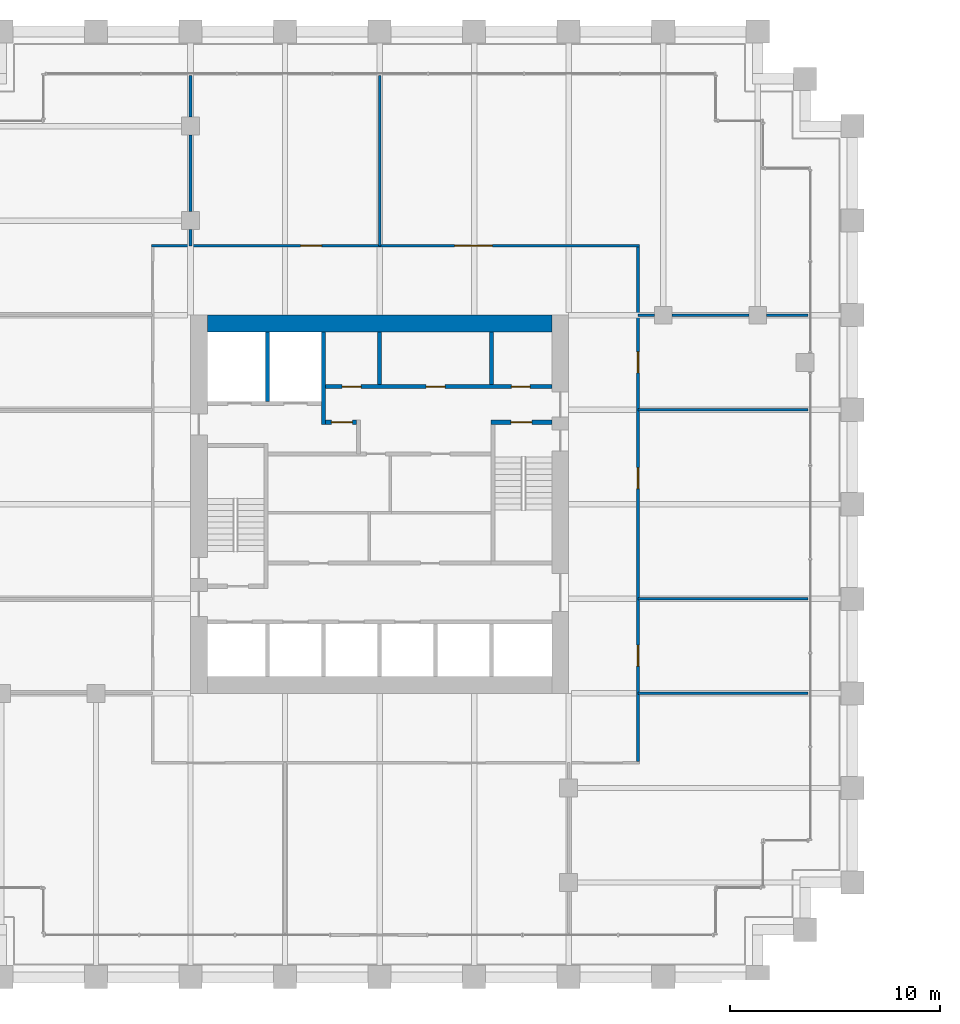
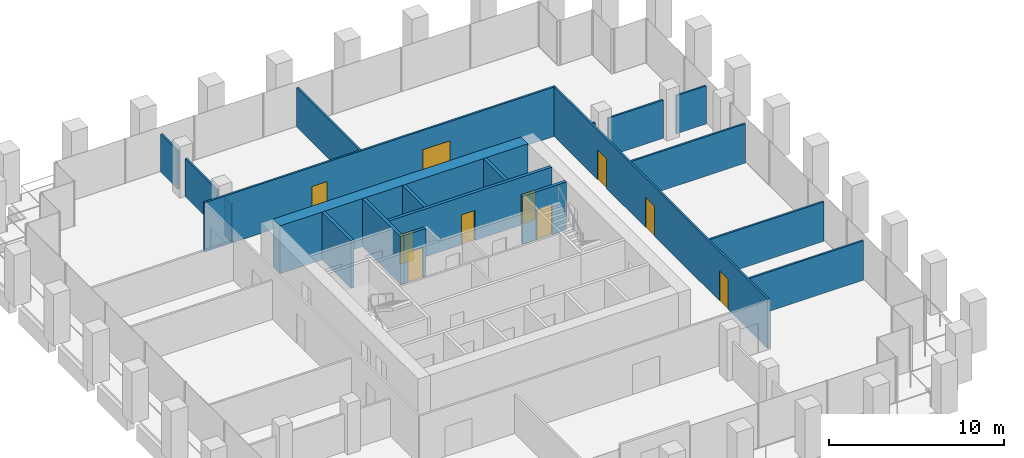
# One storey, part 51 of 56: 20 walls, 10 doors, 10 openings.
"""IFC4 building model written with IfcOpenShell, lengths in metres."""

from ifc_helpers import new_model, si_unit, direction, frame, frame_2d, origin, place, context, subcontext, project, spatial, rectangle, extrude, material, layer, layer_set, type_object, element, fill, save


model = new_model("IFC4")

# Units and contexts
model_context = context("Model", 3, precision=1e-05, world=origin(), true_north=direction((0.0, 1.0)))
body_context = subcontext(model_context, "Body", "Model", "MODEL_VIEW")
ifc_project = project(units=[si_unit("LENGTHUNIT", "METRE"), si_unit("AREAUNIT", "SQUARE_METRE"), si_unit("VOLUMEUNIT", "CUBIC_METRE"), si_unit("PLANEANGLEUNIT", "RADIAN"), si_unit("MASSUNIT", "GRAM", prefix="KILO")], contexts=[model_context])

# Site, building, storey
site_placement = place(None, origin())
site = spatial("IfcSite", under=ifc_project, at=site_placement, CompositionType="ELEMENT")
building_placement = place(site_placement, origin())
building = spatial("IfcBuilding", under=site, at=building_placement, Name="Altepetl Exchange Towers", CompositionType="ELEMENT")
storey_placement = place(building_placement, frame((0.0, 0.0, 79.800048828125)))
storey = spatial("IfcBuildingStorey", under=building, at=storey_placement, Name="L19", CompositionType="ELEMENT", Elevation=79.800048828125)

# Wall
ifc_material_1 = material(Name="Concrete C70/85", Category="concrete")
ifc_layer_1 = layer(ifc_material_1, 0.800048828125)
ifc_layer_set_1 = layer_set([ifc_layer_1], Name="Concrete C70/85")
wall_type_1 = type_object("IfcWallType", Name="Core wall 800 reinforced concrete", PredefinedType="SHEAR", material=ifc_layer_set_1)
wall_1_placement = place(storey_placement, frame((41.300048828125, 58.10009765625, 0.0)))
element("IfcWall", 1, at=wall_1_placement, inside=storey, type_object=wall_type_1, Name="wall:A:L19:K-coreN", PredefinedType="SHEAR", context=body_context, shape_type="SweptSolid", body=[
    extrude(rectangle(XDim=16.39990234375, YDim=0.800048828125, at=frame_2d((8.199951171875, 0.0))), origin(), (0.0, 0.0, 1.0), 3.349853515625),
])

# Wall, opening, door
ifc_material_2 = material(Name="Concrete blockwork", Category="masonry")
ifc_layer_2 = layer(ifc_material_2, 0.199951171875)
ifc_layer_set_2 = layer_set([ifc_layer_2], Name="Concrete blockwork")
wall_type_2 = type_object("IfcWallType", Name="Lobby wall 200 blockwork", PredefinedType="PARTITIONING", material=ifc_layer_set_2)
wall_2_placement = place(storey_placement, frame((46.933349609375, 53.39990234375, 0.0)))
wall_2 = element("IfcWall", 2, at=wall_2_placement, inside=storey, type_object=wall_type_2, Name="wall:A:L19:K-ffN", PredefinedType="PARTITIONING", context=body_context, shape_type="SweptSolid", body=[
    extrude(rectangle(XDim=1.466552734375, YDim=0.199951171875, at=frame_2d((0.7333984375, 0.0))), origin(), (0.0, 0.0, 1.0), 3.349853515625),
])
opening_1_placement = place(wall_2_placement, frame((0.2666015625, 0.0, 0.0)))
opening_1 = element("IfcOpeningElement", 3, at=opening_1_placement, cuts=wall_2, Name="Opening L19.A67", PredefinedType="OPENING", context=body_context, shape_type="SweptSolid", body=[
    extrude(rectangle(XDim=1.0, YDim=2.10009765625, at=frame_2d((0.5, 1.050048828125))), frame((0.0, 0.10986328125, 0.0), z_axis=(0.0, -1.0, 0.0), x_axis=(1.0, 0.0, 0.0)), (0.0, 0.0, 1.0), 0.219970703125),
])
ifc_material_3 = material(Name="Steel and timber fire door", Category="steel")
door_type_1 = type_object("IfcDoorType", Name="Fire door 1000 x 2100 stair and lobby", OperationType="SINGLE_SWING_LEFT", PredefinedType="DOOR", material=ifc_material_3)
door_1_placement = place(opening_1_placement, frame((1.0, 0.0, 0.0), x_axis=(-1.0, 0.0, 0.0)))
door_1 = element("IfcDoor", 4, at=door_1_placement, inside=storey, type_object=door_type_1, Name="door:A:L19:K-dffN", OperationType="SINGLE_SWING_RIGHT", OverallHeight=2.10009765625, OverallWidth=1.0, PredefinedType="DOOR", context=body_context, shape_type="SweptSolid", body=[
    extrude(rectangle(XDim=1.0, YDim=2.10009765625, at=frame_2d((0.5, 1.050048828125))), frame((0.0, 0.02490234375, 0.0), z_axis=(0.0, -1.0, 0.0), x_axis=(1.0, 0.0, 0.0)), (0.0, 0.0, 1.0), 0.050048828125),
])
fill(opening_1, door_1)

# Walls
ifc_material_4 = material(Name="Gypsum board on steel studs", Category="steel")
ifc_layer_3 = layer(ifc_material_4, 0.125)
ifc_layer_set_3 = layer_set([ifc_layer_3], Name="Gypsum board on steel studs")
wall_type_3 = type_object("IfcWallType", Name="Partition 125 gypsum board on steel studs", PredefinedType="PARTITIONING", material=ifc_layer_set_3)
for number, where, name in (
    (5, (61.800048828125, 40.5, 0.0), "wall:A:L19:P05"),
    (6, (61.800048828125, 45.0, 0.0), "wall:A:L19:P07"),
    (7, (61.800048828125, 54.0, 0.0), "wall:A:L19:P09"),
):
    element("IfcWall", number, at=place(storey_placement, frame(where)), inside=storey, type_object=wall_type_3, Name=name, PredefinedType="PARTITIONING", context=body_context, shape_type="SweptSolid", body=[
        extrude(rectangle(XDim=8.099853515625, YDim=0.125, at=frame_2d((4.0498046875, 0.0))), origin(), (0.0, 0.0, 1.0), 2.765869140625),
    ])
wall_3_placement = place(storey_placement, frame((61.800048828125, 58.5, 0.0)))
element("IfcWall", 8, at=wall_3_placement, inside=storey, type_object=wall_type_3, Name="wall:A:L19:P11", PredefinedType="PARTITIONING", context=body_context, shape_type="SweptSolid", body=[
    extrude(rectangle(XDim=0.77490234375, YDim=0.125, at=frame_2d((0.387451171875, 0.0))), origin(), (0.0, 0.0, 1.0), 2.676025390625),
])
wall_4_placement = place(storey_placement, frame((63.425048828125, 58.5, 0.0)))
element("IfcWall", 9, at=wall_4_placement, inside=storey, type_object=wall_type_3, Name="wall:A:L19:P12", PredefinedType="PARTITIONING", context=body_context, shape_type="SweptSolid", body=[
    extrude(rectangle(XDim=3.64990234375, YDim=0.125, at=frame_2d((1.824951171875, 0.0))), origin(), (0.0, 0.0, 1.0), 2.676025390625),
])
wall_5_placement = place(storey_placement, frame((67.925048828125, 58.5, 0.0)))
element("IfcWall", 10, at=wall_5_placement, inside=storey, type_object=wall_type_3, Name="wall:A:L19:P13", PredefinedType="PARTITIONING", context=body_context, shape_type="SweptSolid", body=[
    extrude(rectangle(XDim=1.974853515625, YDim=0.125, at=frame_2d((0.9873046875, 0.0))), origin(), (0.0, 0.0, 1.0), 2.676025390625),
])

# Wall, openings, doors
wall_6_placement = place(storey_placement, frame((38.637451171875, 61.800048828125, 0.0)))
wall_6 = element("IfcWall", 11, at=wall_6_placement, inside=storey, type_object=wall_type_3, Name="wall:A:L19:P14", PredefinedType="PARTITIONING", context=body_context, shape_type="SweptSolid", body=[
    extrude(rectangle(XDim=23.22509765625, YDim=0.125, at=frame_2d((11.612548828125, 0.0))), origin(), (0.0, 0.0, 1.0), 3.449951171875),
])
opening_2_placement = place(wall_6_placement, frame((14.4326171875, 0.0, 0.0)))
opening_2 = element("IfcOpeningElement", 12, at=opening_2_placement, cuts=wall_6, Name="Opening L19.A08", PredefinedType="OPENING", context=body_context, shape_type="SweptSolid", body=[
    extrude(rectangle(XDim=1.800048828125, YDim=2.10009765625, at=frame_2d((0.89990234375, 1.050048828125))), frame((0.0, 0.072509765625, 0.0), z_axis=(0.0, -1.0, 0.0), x_axis=(1.0, 0.0, 0.0)), (0.0, 0.0, 1.0), 0.14501953125),
])
opening_3_placement = place(wall_6_placement, frame((7.1044921875, 0.0, 0.0)))
opening_3 = element("IfcOpeningElement", 13, at=opening_3_placement, cuts=wall_6, Name="Opening L19.A09", PredefinedType="OPENING", context=body_context, shape_type="SweptSolid", body=[
    extrude(rectangle(XDim=1.0, YDim=2.10009765625, at=frame_2d((0.5, 1.050048828125))), frame((0.0, 0.072509765625, 0.0), z_axis=(0.0, -1.0, 0.0), x_axis=(1.0, 0.0, 0.0)), (0.0, 0.0, 1.0), 0.14501953125),
])
door_type_2 = type_object("IfcDoorType", Name="Fire door 1000 x 2100 single leaf", OperationType="SINGLE_SWING_LEFT", PredefinedType="DOOR", material=ifc_material_3)
door_2_placement = place(opening_3_placement, origin())
door_2 = element("IfcDoor", 14, at=door_2_placement, inside=storey, type_object=door_type_2, Name="door:A:L19:09", OperationType="SINGLE_SWING_RIGHT", OverallHeight=2.10009765625, OverallWidth=1.0, PredefinedType="DOOR", context=body_context, shape_type="SweptSolid", body=[
    extrude(rectangle(XDim=1.0, YDim=2.10009765625, at=frame_2d((0.5, 1.050048828125))), frame((0.0, 0.02490234375, 0.0), z_axis=(0.0, -1.0, 0.0), x_axis=(1.0, 0.0, 0.0)), (0.0, 0.0, 1.0), 0.050048828125),
])
fill(opening_3, door_2)
door_type_3 = type_object("IfcDoorType", Name="Fire door 1800 x 2100 double leaf", OperationType="DOUBLE_DOOR_SINGLE_SWING", PredefinedType="DOOR", material=ifc_material_3)
door_3_placement = place(opening_2_placement, origin())
door_3 = element("IfcDoor", 15, at=door_3_placement, inside=storey, type_object=door_type_3, Name="door:A:L19:08", OperationType="DOUBLE_DOOR_SINGLE_SWING", OverallHeight=2.10009765625, OverallWidth=1.800048828125, PredefinedType="DOOR", context=body_context, shape_type="SweptSolid", body=[
    extrude(rectangle(XDim=1.800048828125, YDim=2.10009765625, at=frame_2d((0.89990234375, 1.050048828125))), frame((0.0, 0.02490234375, 0.0), z_axis=(0.0, -1.0, 0.0), x_axis=(1.0, 0.0, 0.0)), (0.0, 0.0, 1.0), 0.050048828125),
])
fill(opening_2, door_3)

# Walls
wall_7_placement = place(storey_placement, frame((40.5, 61.800048828125, 0.0), z_axis=(0.0, 0.0, 1.0), x_axis=(0.0, 1.0, 0.0)))
element("IfcWall", 16, at=wall_7_placement, inside=storey, type_object=wall_type_3, Name="wall:A:L19:P16", PredefinedType="PARTITIONING", context=body_context, shape_type="SweptSolid", body=[
    extrude(rectangle(XDim=0.77490234375, YDim=0.125, at=frame_2d((0.387451171875, 0.0))), origin(), (0.0, 0.0, 1.0), 2.676025390625),
])
wall_8_placement = place(storey_placement, frame((40.5, 63.425048828125, 0.0), z_axis=(0.0, 0.0, 1.0), x_axis=(0.0, 1.0, 0.0)))
element("IfcWall", 17, at=wall_8_placement, inside=storey, type_object=wall_type_3, Name="wall:A:L19:P17", PredefinedType="PARTITIONING", context=body_context, shape_type="SweptSolid", body=[
    extrude(rectangle(XDim=3.64990234375, YDim=0.125, at=frame_2d((1.824951171875, 0.0))), origin(), (0.0, 0.0, 1.0), 2.676025390625),
])
wall_9_placement = place(storey_placement, frame((40.5, 67.925048828125, 0.0), z_axis=(0.0, 0.0, 1.0), x_axis=(0.0, 1.0, 0.0)))
element("IfcWall", 18, at=wall_9_placement, inside=storey, type_object=wall_type_3, Name="wall:A:L19:P18", PredefinedType="PARTITIONING", context=body_context, shape_type="SweptSolid", body=[
    extrude(rectangle(XDim=1.974853515625, YDim=0.125, at=frame_2d((0.9873046875, 0.0))), origin(), (0.0, 0.0, 1.0), 2.676025390625),
])
wall_10_placement = place(storey_placement, frame((49.5, 61.800048828125, 0.0), z_axis=(0.0, 0.0, 1.0), x_axis=(0.0, 1.0, 0.0)))
element("IfcWall", 19, at=wall_10_placement, inside=storey, type_object=wall_type_3, Name="wall:A:L19:P20", PredefinedType="PARTITIONING", context=body_context, shape_type="SweptSolid", body=[
    extrude(rectangle(XDim=8.099853515625, YDim=0.125, at=frame_2d((4.0498046875, 0.0))), origin(), (0.0, 0.0, 1.0), 2.765869140625),
])

# Wall, openings, doors
wall_11_placement = place(storey_placement, frame((61.800048828125, 37.262451171875, 0.0), z_axis=(0.0, 0.0, 1.0), x_axis=(0.0, 1.0, 0.0)))
wall_11 = element("IfcWall", 20, at=wall_11_placement, inside=storey, type_object=wall_type_3, Name="wall:A:L19:P24", PredefinedType="PARTITIONING", context=body_context, shape_type="SweptSolid", body=[
    extrude(rectangle(XDim=24.47509765625, YDim=0.125, at=frame_2d((12.237548828125, 0.0))), origin(), (0.0, 0.0, 1.0), 3.449951171875),
])
opening_4_placement = place(wall_11_placement, frame((4.532470703125, 0.0, 0.0)))
opening_4 = element("IfcOpeningElement", 21, at=opening_4_placement, cuts=wall_11, Name="Opening L19.A05", PredefinedType="OPENING", context=body_context, shape_type="SweptSolid", body=[
    extrude(rectangle(XDim=1.0, YDim=2.10009765625, at=frame_2d((0.5, 1.050048828125))), frame((0.0, 0.072509765625, 0.0), z_axis=(0.0, -1.0, 0.0), x_axis=(1.0, 0.0, 0.0)), (0.0, 0.0, 1.0), 0.14501953125),
])
opening_5_placement = place(wall_11_placement, frame((12.9794921875, 0.0, 0.0)))
opening_5 = element("IfcOpeningElement", 22, at=opening_5_placement, cuts=wall_11, Name="Opening L19.A06", PredefinedType="OPENING", context=body_context, shape_type="SweptSolid", body=[
    extrude(rectangle(XDim=1.0, YDim=2.10009765625, at=frame_2d((0.5, 1.050048828125))), frame((0.0, 0.072509765625, 0.0), z_axis=(0.0, -1.0, 0.0), x_axis=(1.0, 0.0, 0.0)), (0.0, 0.0, 1.0), 0.14501953125),
])
opening_6_placement = place(wall_11_placement, frame((18.487548828125, 0.0, 0.0)))
opening_6 = element("IfcOpeningElement", 23, at=opening_6_placement, cuts=wall_11, Name="Opening L19.A07", PredefinedType="OPENING", context=body_context, shape_type="SweptSolid", body=[
    extrude(rectangle(XDim=1.0, YDim=2.10009765625, at=frame_2d((0.5, 1.050048828125))), frame((0.0, 0.072509765625, 0.0), z_axis=(0.0, -1.0, 0.0), x_axis=(1.0, 0.0, 0.0)), (0.0, 0.0, 1.0), 0.14501953125),
])
door_4_placement = place(opening_4_placement, frame((1.0, 0.0, 0.0), x_axis=(-1.0, 0.0, 0.0)))
door_4 = element("IfcDoor", 24, at=door_4_placement, inside=storey, type_object=door_type_2, Name="door:A:L19:05", OperationType="SINGLE_SWING_LEFT", OverallHeight=2.10009765625, OverallWidth=1.0, PredefinedType="DOOR", context=body_context, shape_type="SweptSolid", body=[
    extrude(rectangle(XDim=1.0, YDim=2.10009765625, at=frame_2d((0.5, 1.050048828125))), frame((0.0, 0.02490234375, 0.0), z_axis=(0.0, -1.0, 0.0), x_axis=(1.0, 0.0, 0.0)), (0.0, 0.0, 1.0), 0.050048828125),
])
fill(opening_4, door_4)
door_5_placement = place(opening_5_placement, frame((1.0, 0.0, 0.0), x_axis=(-1.0, 0.0, 0.0)))
door_5 = element("IfcDoor", 25, at=door_5_placement, inside=storey, type_object=door_type_2, Name="door:A:L19:06", OperationType="SINGLE_SWING_LEFT", OverallHeight=2.10009765625, OverallWidth=1.0, PredefinedType="DOOR", context=body_context, shape_type="SweptSolid", body=[
    extrude(rectangle(XDim=1.0, YDim=2.10009765625, at=frame_2d((0.5, 1.050048828125))), frame((0.0, 0.02490234375, 0.0), z_axis=(0.0, -1.0, 0.0), x_axis=(1.0, 0.0, 0.0)), (0.0, 0.0, 1.0), 0.050048828125),
])
fill(opening_5, door_5)
door_6_placement = place(opening_6_placement, frame((1.0, 0.0, 0.0), x_axis=(-1.0, 0.0, 0.0)))
door_6 = element("IfcDoor", 26, at=door_6_placement, inside=storey, type_object=door_type_2, Name="door:A:L19:07", OperationType="SINGLE_SWING_LEFT", OverallHeight=2.10009765625, OverallWidth=1.0, PredefinedType="DOOR", context=body_context, shape_type="SweptSolid", body=[
    extrude(rectangle(XDim=1.0, YDim=2.10009765625, at=frame_2d((0.5, 1.050048828125))), frame((0.0, 0.02490234375, 0.0), z_axis=(0.0, -1.0, 0.0), x_axis=(1.0, 0.0, 0.0)), (0.0, 0.0, 1.0), 0.050048828125),
])
fill(opening_6, door_6)

# Walls
ifc_material_5 = material(Name="Concrete C40/50", Category="concrete")
ifc_layer_4 = layer(ifc_material_5, 0.199951171875)
ifc_layer_set_4 = layer_set([ifc_layer_4], Name="Concrete C40/50")
wall_type_4 = type_object("IfcWallType", Name="Shaft wall 200 reinforced concrete", PredefinedType="SHEAR", material=ifc_layer_set_4)
wall_12_placement = place(storey_placement, frame((44.166748046875, 57.699951171875, 0.0), z_axis=(0.0, 0.0, 1.0), x_axis=(0.0, -1.0, 0.0)))
element("IfcWall", 27, at=wall_12_placement, inside=storey, type_object=wall_type_4, Name="wall:A:L19:K-divN1", PredefinedType="SHEAR", context=body_context, shape_type="SweptSolid", body=[
    extrude(rectangle(XDim=3.300048828125, YDim=0.199951171875, at=frame_2d((1.64990234375, 0.0))), origin(), (0.0, 0.0, 1.0), 3.349853515625),
])
wall_13_placement = place(storey_placement, frame((46.833251953125, 57.699951171875, 0.0), z_axis=(0.0, 0.0, 1.0), x_axis=(0.0, -1.0, 0.0)))
element("IfcWall", 28, at=wall_13_placement, inside=storey, type_object=wall_type_4, Name="wall:A:L19:K-divN2", PredefinedType="SHEAR", context=body_context, shape_type="SweptSolid", body=[
    extrude(rectangle(XDim=4.39990234375, YDim=0.199951171875, at=frame_2d((2.199951171875, 0.0))), origin(), (0.0, 0.0, 1.0), 3.349853515625),
])
for number, where, z_axis, x_axis, name in (
    (29, (49.5, 57.699951171875, 0.0), (0.0, 0.0, 1.0), (0.0, -1.0, 0.0), "wall:A:L19:K-divN3"),
    (30, (54.833251953125, 57.699951171875, 0.0), (0.0, 0.0, 1.0), (0.0, -1.0, 0.0), "wall:A:L19:K-divN5"),
):
    element("IfcWall", number, at=place(storey_placement, frame(where, z_axis=z_axis, x_axis=x_axis)), inside=storey, type_object=wall_type_4, Name=name, PredefinedType="SHEAR", context=body_context, shape_type="SweptSolid", body=[
        extrude(rectangle(XDim=2.5, YDim=0.199951171875, at=frame_2d((1.25, 0.0))), origin(), (0.0, 0.0, 1.0), 3.349853515625),
    ])

# Wall, openings, doors
wall_14_placement = place(storey_placement, frame((46.933349609375, 55.10009765625, 0.0)))
wall_14 = element("IfcWall", 31, at=wall_14_placement, inside=storey, type_object=wall_type_4, Name="wall:A:L19:K-frontNb", PredefinedType="SHEAR", context=body_context, shape_type="SweptSolid", body=[
    extrude(rectangle(XDim=10.7666015625, YDim=0.199951171875, at=frame_2d((5.38330078125, 0.0))), origin(), (0.0, 0.0, 1.0), 3.349853515625),
])
opening_7_placement = place(wall_14_placement, frame((8.83349609375, 0.0, 0.0)))
opening_7 = element("IfcOpeningElement", 32, at=opening_7_placement, cuts=wall_14, Name="Opening L19.A69", PredefinedType="OPENING", context=body_context, shape_type="SweptSolid", body=[
    extrude(rectangle(XDim=0.89990234375, YDim=2.10009765625, at=frame_2d((0.449951171875, 1.050048828125))), frame((0.0, 0.10986328125, 0.0), z_axis=(0.0, -1.0, 0.0), x_axis=(1.0, 0.0, 0.0)), (0.0, 0.0, 1.0), 0.219970703125),
])
opening_8_placement = place(wall_14_placement, frame((0.783447265625, 0.0, 0.0)))
opening_8 = element("IfcOpeningElement", 33, at=opening_8_placement, cuts=wall_14, Name="Opening L19.A70", PredefinedType="OPENING", context=body_context, shape_type="SweptSolid", body=[
    extrude(rectangle(XDim=0.89990234375, YDim=2.10009765625, at=frame_2d((0.449951171875, 1.050048828125))), frame((0.0, 0.10986328125, 0.0), z_axis=(0.0, -1.0, 0.0), x_axis=(1.0, 0.0, 0.0)), (0.0, 0.0, 1.0), 0.219970703125),
])
opening_9_placement = place(wall_14_placement, frame((4.783447265625, 0.0, 0.0)))
opening_9 = element("IfcOpeningElement", 34, at=opening_9_placement, cuts=wall_14, Name="Opening L19.A71", PredefinedType="OPENING", context=body_context, shape_type="SweptSolid", body=[
    extrude(rectangle(XDim=0.89990234375, YDim=2.10009765625, at=frame_2d((0.449951171875, 1.050048828125))), frame((0.0, 0.10986328125, 0.0), z_axis=(0.0, -1.0, 0.0), x_axis=(1.0, 0.0, 0.0)), (0.0, 0.0, 1.0), 0.219970703125),
])
door_type_4 = type_object("IfcDoorType", Name="Fire door 900 x 2100 service room", OperationType="SINGLE_SWING_LEFT", PredefinedType="DOOR", material=ifc_material_3)
door_7_placement = place(opening_7_placement, origin())
door_7 = element("IfcDoor", 35, at=door_7_placement, inside=storey, type_object=door_type_4, Name="door:A:L19:K-driser", OperationType="SINGLE_SWING_RIGHT", OverallHeight=2.10009765625, OverallWidth=0.89990234375, PredefinedType="DOOR", context=body_context, shape_type="SweptSolid", body=[
    extrude(rectangle(XDim=0.89990234375, YDim=2.10009765625, at=frame_2d((0.449951171875, 1.050048828125))), frame((0.0, 0.02490234375, 0.0), z_axis=(0.0, -1.0, 0.0), x_axis=(1.0, 0.0, 0.0)), (0.0, 0.0, 1.0), 0.050048828125),
])
fill(opening_7, door_7)
door_8_placement = place(opening_8_placement, origin())
door_8 = element("IfcDoor", 36, at=door_8_placement, inside=storey, type_object=door_type_4, Name="door:A:L19:K-dslotN2", OperationType="SINGLE_SWING_RIGHT", OverallHeight=2.10009765625, OverallWidth=0.89990234375, PredefinedType="DOOR", context=body_context, shape_type="SweptSolid", body=[
    extrude(rectangle(XDim=0.89990234375, YDim=2.10009765625, at=frame_2d((0.449951171875, 1.050048828125))), frame((0.0, 0.02490234375, 0.0), z_axis=(0.0, -1.0, 0.0), x_axis=(1.0, 0.0, 0.0)), (0.0, 0.0, 1.0), 0.050048828125),
])
fill(opening_8, door_8)
door_9_placement = place(opening_9_placement, origin())
door_9 = element("IfcDoor", 37, at=door_9_placement, inside=storey, type_object=door_type_4, Name="door:A:L19:K-dslotN3", OperationType="SINGLE_SWING_RIGHT", OverallHeight=2.10009765625, OverallWidth=0.89990234375, PredefinedType="DOOR", context=body_context, shape_type="SweptSolid", body=[
    extrude(rectangle(XDim=0.89990234375, YDim=2.10009765625, at=frame_2d((0.449951171875, 1.050048828125))), frame((0.0, 0.02490234375, 0.0), z_axis=(0.0, -1.0, 0.0), x_axis=(1.0, 0.0, 0.0)), (0.0, 0.0, 1.0), 0.050048828125),
])
fill(opening_9, door_9)

# Wall, opening, door
ifc_layer_5 = layer(ifc_material_5, 0.199951171875)
ifc_layer_set_5 = layer_set([ifc_layer_5], Name="Concrete C40/50")
wall_type_5 = type_object("IfcWallType", Name="Stair wall 200 reinforced concrete", PredefinedType="SHEAR", material=ifc_layer_set_5)
wall_15_placement = place(storey_placement, frame((54.800048828125, 53.39990234375, 0.0)))
wall_15 = element("IfcWall", 38, at=wall_15_placement, inside=storey, type_object=wall_type_5, Name="wall:A:L19:K-stS2N", PredefinedType="SHEAR", context=body_context, shape_type="SweptSolid", body=[
    extrude(rectangle(XDim=2.89990234375, YDim=0.199951171875, at=frame_2d((1.449951171875, 0.0))), origin(), (0.0, 0.0, 1.0), 3.349853515625),
])
opening_10_placement = place(wall_15_placement, frame((0.949951171875, 0.0, 0.0)))
opening_10 = element("IfcOpeningElement", 39, at=opening_10_placement, cuts=wall_15, Name="Opening L19.A65", PredefinedType="OPENING", context=body_context, shape_type="SweptSolid", body=[
    extrude(rectangle(XDim=1.0, YDim=2.10009765625, at=frame_2d((0.5, 1.050048828125))), frame((0.0, 0.10986328125, 0.0), z_axis=(0.0, -1.0, 0.0), x_axis=(1.0, 0.0, 0.0)), (0.0, 0.0, 1.0), 0.219970703125),
])
door_10_placement = place(opening_10_placement, frame((1.0, 0.0, 0.0), x_axis=(-1.0, 0.0, 0.0)))
door_10 = element("IfcDoor", 40, at=door_10_placement, inside=storey, type_object=door_type_1, Name="door:A:L19:K-dS2in", OperationType="SINGLE_SWING_LEFT", OverallHeight=2.10009765625, OverallWidth=1.0, PredefinedType="DOOR", context=body_context, shape_type="SweptSolid", body=[
    extrude(rectangle(XDim=1.0, YDim=2.10009765625, at=frame_2d((0.5, 1.050048828125))), frame((0.0, 0.02490234375, 0.0), z_axis=(0.0, -1.0, 0.0), x_axis=(1.0, 0.0, 0.0)), (0.0, 0.0, 1.0), 0.050048828125),
])
fill(opening_10, door_10)

save(model, "model.ifc")
